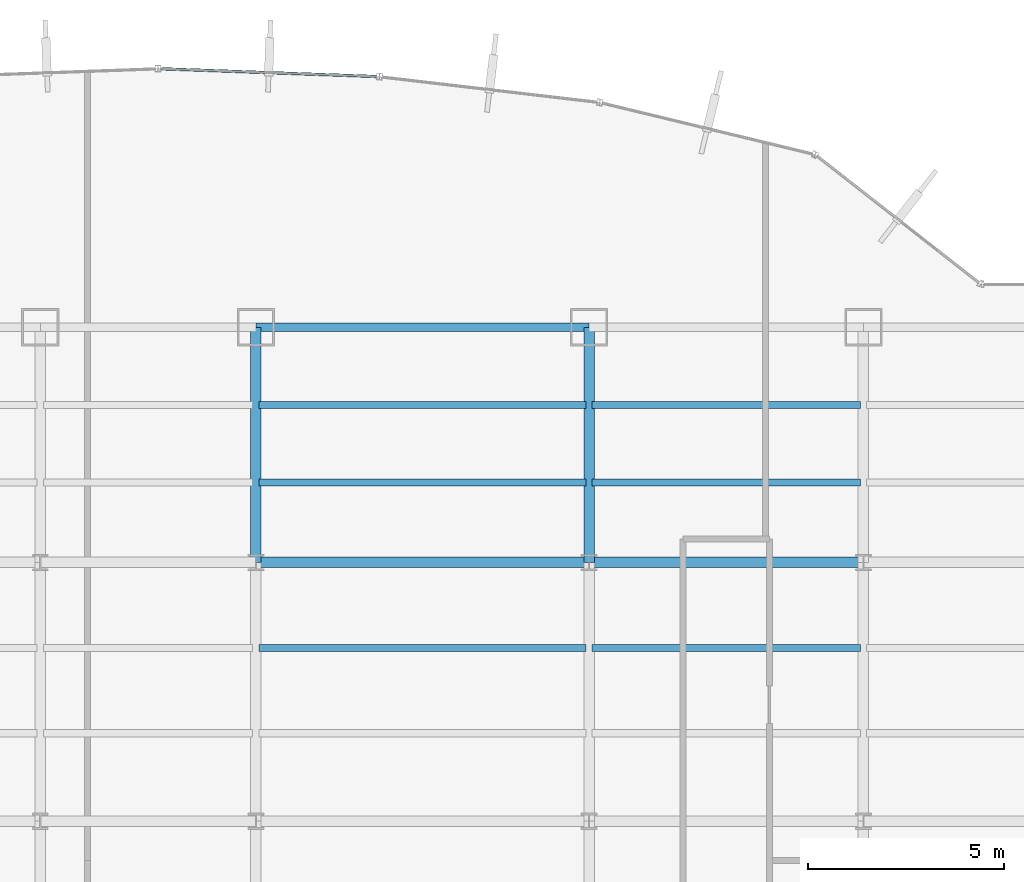
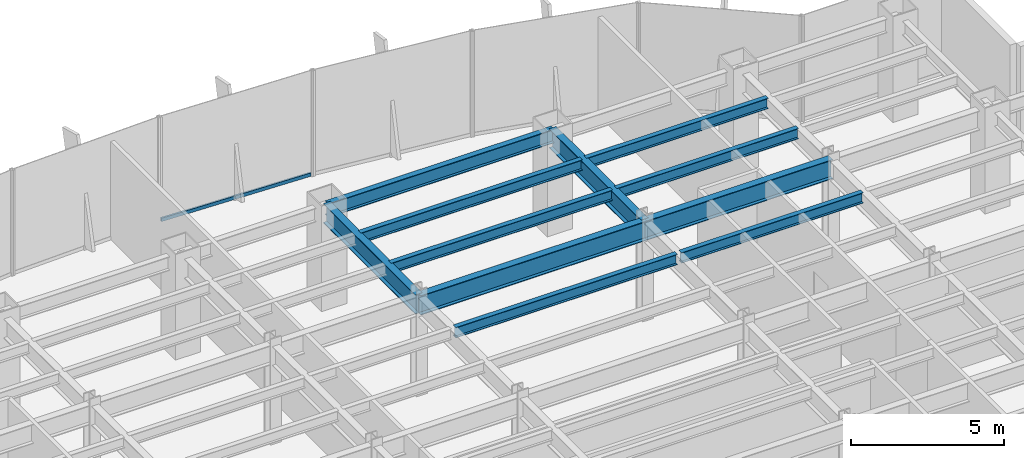
# One storey, part 22 of 35: 11 beams, 1 member, 1 element without a shape of its own.
"""IFC4 building model written with IfcOpenShell, lengths in metres."""

from ifc_helpers import new_model, si_unit, derived_unit, direction, frame, origin, origin_2d, place, context, subcontext, project, spatial, hollow_rectangle, i_section, extrude, source, transform, mapped, material, material_profile, profile_set, type_object, element, aggregate, save


model = new_model("IFC4")

# Units and contexts
model_context = context("Model", 3, precision=1e-05, world=origin(), true_north=direction((0.0, 1.0)))
body_context = subcontext(model_context, "Body", "Model", "MODEL_VIEW")
ifc_project = project(units=[si_unit("LENGTHUNIT", "METRE"), si_unit("AREAUNIT", "SQUARE_METRE"), si_unit("VOLUMEUNIT", "CUBIC_METRE"), si_unit("PLANEANGLEUNIT", "RADIAN"), si_unit("MASSUNIT", "GRAM", prefix="KILO"), derived_unit("THERMALTRANSMITTANCEUNIT", [(si_unit("POWERUNIT", "WATT"), 1), (si_unit("LENGTHUNIT", "METRE"), -2), (si_unit("THERMODYNAMICTEMPERATUREUNIT", "KELVIN"), -1)])], contexts=[model_context])

# Site, building, storey
site_placement = place(None, origin())
site = spatial("IfcSite", under=ifc_project, at=site_placement, CompositionType="ELEMENT")
building_placement = place(site_placement, origin())
building = spatial("IfcBuilding", under=site, at=building_placement, Name="Skarnbrae Concourse Arena and Tower", CompositionType="ELEMENT")
storey_placement = place(building_placement, frame((0.0, 0.0, 79.949951171875)))
storey = spatial("IfcBuildingStorey", under=building, at=storey_placement, Name="L19", CompositionType="ELEMENT", Elevation=79.949951171875)

# Beams
ifc_material_1 = material(Name="Steel CSA G40.21 350W", Category="steel")
ifc_material_profile_1 = material_profile(ifc_material_1, i_section(OverallWidth=0.26806640625, OverallDepth=0.77001953125, WebThickness=0.015625, FlangeThickness=0.025390625, at=origin_2d()), Name="W760X196")
ifc_profile_set_1 = profile_set([ifc_material_profile_1], Name="Steel CSA G40.21 350W")
beam_type_1 = type_object("IfcBeamType", Name="BM-GIRD-W760X196", PredefinedType="BEAM", material=ifc_profile_set_1)
shared_shape_1 = source(origin(), body_context, "Body", "SweptSolid", [
    extrude(i_section(OverallWidth=0.26806640625, OverallDepth=0.77001953125, WebThickness=0.015625, FlangeThickness=0.025390625, at=origin_2d()), origin(), (0.0, 0.0, 1.0), 7.0),
])
beam_1_placement = place(storey_placement, frame((42.0, 34.39990234375, 3.51513671875), z_axis=(1.0, 0.0, 0.0), x_axis=(0.0, 1.0, 0.0)))
element("IfcBeam", 1, at=beam_1_placement, inside=storey, type_object=beam_type_1, Name="L19 Primary E-W girder Y34.4-7", PredefinedType="BEAM", context=body_context, shape_type="MappedRepresentation", body=[
    mapped(shared_shape_1, transform((0.0, 0.0, 0.0))),
])
shared_shape_2 = source(origin(), body_context, "Body", "SweptSolid", [
    extrude(i_section(OverallWidth=0.26806640625, OverallDepth=0.77001953125, WebThickness=0.015625, FlangeThickness=0.025390625, at=origin_2d()), origin(), (0.0, 0.0, 1.0), 8.5),
])
beam_2_placement = place(storey_placement, frame((33.5, 34.39990234375, 3.51513671875), z_axis=(1.0, 0.0, 0.0), x_axis=(0.0, 1.0, 0.0)))
element("IfcBeam", 2, at=beam_2_placement, inside=storey, type_object=beam_type_1, Name="L19 Primary E-W girder Y34.4-6", PredefinedType="BEAM", context=body_context, shape_type="MappedRepresentation", body=[
    mapped(shared_shape_2, transform((0.0, 0.0, 0.0))),
])
shared_shape_3 = source(origin(), body_context, "Body", "SweptSolid", [
    extrude(i_section(OverallWidth=0.26806640625, OverallDepth=0.77001953125, WebThickness=0.015625, FlangeThickness=0.025390625, at=origin_2d()), origin(), (0.0, 0.0, 1.0), 6.0),
])
for number, where, z_axis, x_axis, name in (
    (3, (33.5, 34.39990234375, 3.51513671875), (0.0, 1.0, 0.0), (-1.0, 0.0, 0.0), "L19 Primary N-S girder X33.5-4"),
    (4, (42.0, 34.39990234375, 3.51513671875), (0.0, 1.0, 0.0), (-1.0, 0.0, 0.0), "L19 Primary N-S girder X42.0-5"),
):
    element("IfcBeam", number, at=place(storey_placement, frame(where, z_axis=z_axis, x_axis=x_axis)), inside=storey, type_object=beam_type_1, Name=name, PredefinedType="BEAM", context=body_context, shape_type="MappedRepresentation", body=[
        mapped(shared_shape_3, transform((0.0, 0.0, 0.0))),
    ])
ifc_material_profile_2 = material_profile(ifc_material_1, i_section(OverallWidth=0.214111328125, OverallDepth=0.549072265625, WebThickness=0.0146484375, FlangeThickness=0.023681640625, at=origin_2d()), Name="W530X138")
ifc_profile_set_2 = profile_set([ifc_material_profile_2], Name="Steel CSA G40.21 350W")
beam_type_2 = type_object("IfcBeamType", Name="BM-SPAN-W530X138", PredefinedType="SPANDREL", material=ifc_profile_set_2)
shared_shape_4 = source(origin(), body_context, "Body", "SweptSolid", [
    extrude(i_section(OverallWidth=0.214111328125, OverallDepth=0.549072265625, WebThickness=0.0146484375, FlangeThickness=0.023681640625, at=origin_2d()), origin(), (0.0, 0.0, 1.0), 8.5),
])
beam_3_placement = place(storey_placement, frame((33.5, 40.39990234375, 3.62548828125), z_axis=(1.0, 0.0, 0.0), x_axis=(0.0, 1.0, 0.0)))
element("IfcBeam", 5, at=beam_3_placement, inside=storey, type_object=beam_type_2, Name="L19 Perimeter spandrel Y40.4-5", PredefinedType="SPANDREL", context=body_context, shape_type="MappedRepresentation", body=[
    mapped(shared_shape_4, transform((0.0, 0.0, 0.0))),
])
ifc_material_profile_3 = material_profile(ifc_material_1, i_section(OverallWidth=0.180908203125, OverallDepth=0.4169921875, WebThickness=0.010986328125, FlangeThickness=0.018310546875, at=origin_2d()), Name="W410X85")
ifc_profile_set_3 = profile_set([ifc_material_profile_3], Name="Steel CSA G40.21 350W")
beam_type_3 = type_object("IfcBeamType", Name="BM-JOIST-W410X85", PredefinedType="JOIST", material=ifc_profile_set_3)
shared_shape_5 = source(origin(), body_context, "Body", "SweptSolid", [
    extrude(i_section(OverallWidth=0.180908203125, OverallDepth=0.4169921875, WebThickness=0.010986328125, FlangeThickness=0.018310546875, at=origin_2d()), origin(), (0.0, 0.0, 1.0), 8.33984375),
])
for number, where, z_axis, x_axis, name in (
    (6, (33.580078125, 32.221923828125, 3.691650390625), (1.0, 0.0, 0.0), (0.0, 1.0, 0.0), "L19 Secondary floor joist 3.2.6"),
    (7, (33.580078125, 36.43994140625, 3.691650390625), (1.0, 0.0, 0.0), (0.0, 1.0, 0.0), "L19 Secondary floor joist 4.1.5"),
    (8, (33.580078125, 38.419921875, 3.691650390625), (1.0, 0.0, 0.0), (0.0, 1.0, 0.0), "L19 Secondary floor joist 4.2.5"),
):
    element("IfcBeam", number, at=place(storey_placement, frame(where, z_axis=z_axis, x_axis=x_axis)), inside=storey, type_object=beam_type_3, Name=name, PredefinedType="JOIST", context=body_context, shape_type="MappedRepresentation", body=[
        mapped(shared_shape_5, transform((0.0, 0.0, 0.0))),
    ])
shared_shape_6 = source(origin(), body_context, "Body", "SweptSolid", [
    extrude(i_section(OverallWidth=0.180908203125, OverallDepth=0.4169921875, WebThickness=0.010986328125, FlangeThickness=0.018310546875, at=origin_2d()), origin(), (0.0, 0.0, 1.0), 6.83984375),
])
for number, where, z_axis, x_axis, name in (
    (9, (42.080078125, 32.221923828125, 3.691650390625), (1.0, 0.0, 0.0), (0.0, 1.0, 0.0), "L19 Secondary floor joist 3.2.7"),
    (10, (42.080078125, 36.43994140625, 3.691650390625), (1.0, 0.0, 0.0), (0.0, 1.0, 0.0), "L19 Secondary floor joist 4.1.6"),
    (11, (42.080078125, 38.419921875, 3.691650390625), (1.0, 0.0, 0.0), (0.0, 1.0, 0.0), "L19 Secondary floor joist 4.2.6"),
):
    element("IfcBeam", number, at=place(storey_placement, frame(where, z_axis=z_axis, x_axis=x_axis)), inside=storey, type_object=beam_type_3, Name=name, PredefinedType="JOIST", context=body_context, shape_type="MappedRepresentation", body=[
        mapped(shared_shape_6, transform((0.0, 0.0, 0.0))),
    ])

# Curtain wall, member
ifc_material_2 = material(Name="Bronze anodised aluminium 6063-T6", Category="aluminium")
curtain_wall_type = type_object("IfcCurtainWallType", Name="CW-SYS-06-SKYLOBBY", PredefinedType="USERDEFINED", material=ifc_material_2)
curtain_wall_placement = place(storey_placement, origin())
curtain_wall = element("IfcCurtainWall", 12, at=curtain_wall_placement, inside=storey, type_object=curtain_wall_type, Name="L19 Unitised curtain wall CW-L19-E11", ObjectType="UNITISED CURTAIN WALL", PredefinedType="USERDEFINED")
ifc_material_profile_4 = material_profile(ifc_material_2, hollow_rectangle(XDim=0.070068359375, YDim=0.135009765625, WallThickness=0.00390625, at=origin_2d()), Name="ALU-TRAN-70X135")
ifc_profile_set_4 = profile_set([ifc_material_profile_4], Name="Bronze anodised aluminium 6063-T6")
member_type = type_object("IfcMemberType", Name="CWT-CW-06", PredefinedType="USERDEFINED", material=ifc_profile_set_4)
shared_shape_7 = source(origin(), body_context, "Body", "SweptSolid", [
    extrude(hollow_rectangle(XDim=0.070068359375, YDim=0.135009765625, WallThickness=0.00390625, at=origin_2d()), origin(), (0.0, 0.0, 1.0), 5.517578125),
])
member_placement = place(storey_placement, frame((36.583984375, 46.79931640625, 0.067626953125), z_axis=(-0.999354314419, 0.035929851818, 0.0), x_axis=(-0.035929851818, -0.999354314419, 0.0)))
member = element("IfcMember", 13, at=member_placement, type_object=member_type, Name="CW-L19-E11 Transom 1", ObjectType="TRANSOM", PredefinedType="USERDEFINED", context=body_context, shape_type="MappedRepresentation", body=[
    mapped(shared_shape_7, transform((0.0, 0.0, 0.0))),
])
aggregate(curtain_wall, [member])

save(model, "model.ifc")
